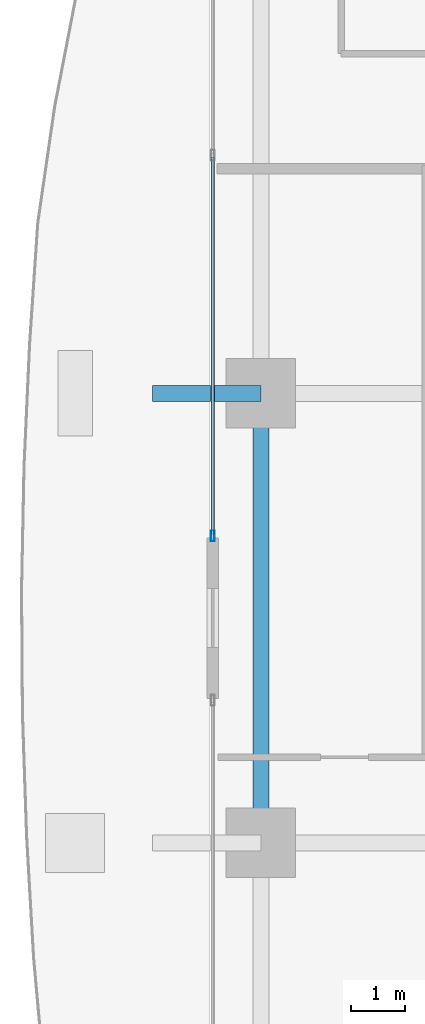
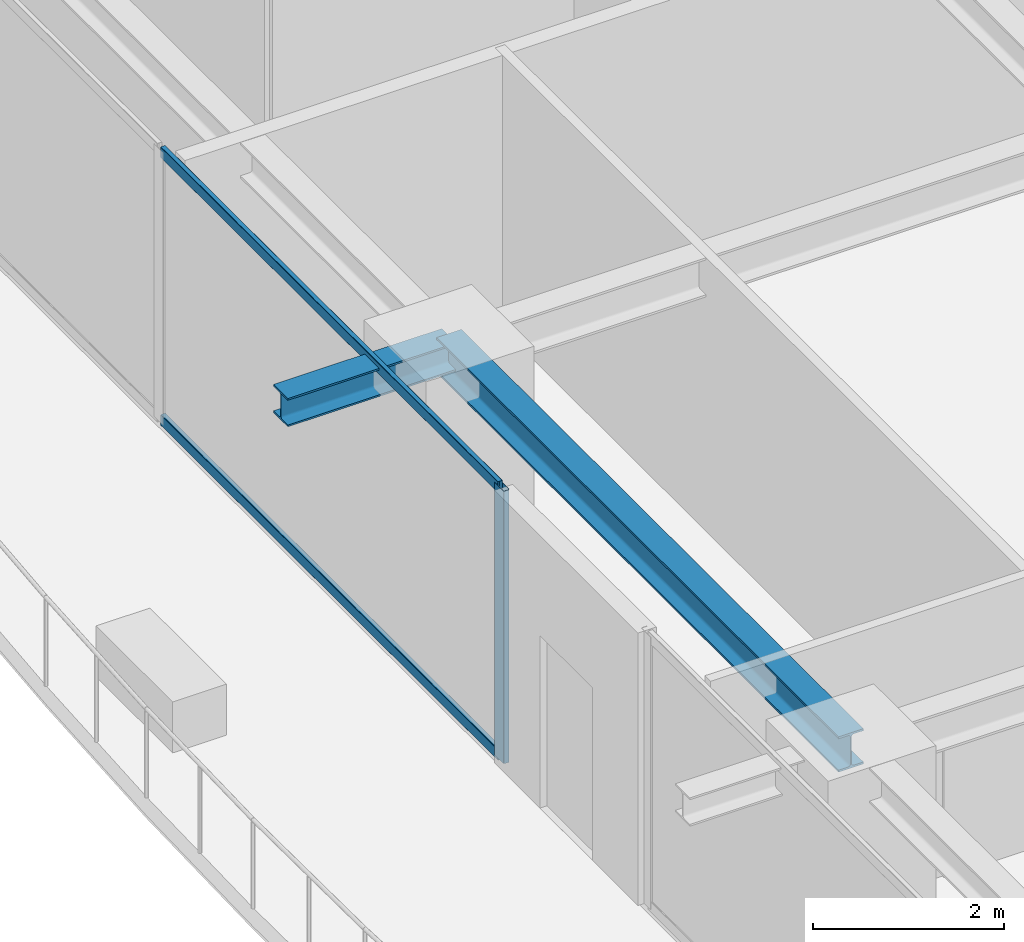
# One storey, part 9 of 34: 3 members, 2 beams, 1 element without a shape of its own.
"""IFC4 building model written with IfcOpenShell, lengths in metres."""

from ifc_helpers import new_model, si_unit, direction, frame, origin, origin_2d, place, context, subcontext, project, spatial, hollow_rectangle, i_section, extrude, source, transform, mapped, material, layer, layer_set, material_profile, profile_set, type_object, element, aggregate, save


model = new_model("IFC4")

# Units and contexts
model_context = context("Model", 3, precision=1e-05, world=origin(), true_north=direction((0.0, 1.0)))
body_context = subcontext(model_context, "Body", "Model", "MODEL_VIEW")
ifc_project = project(units=[si_unit("LENGTHUNIT", "METRE"), si_unit("AREAUNIT", "SQUARE_METRE"), si_unit("VOLUMEUNIT", "CUBIC_METRE"), si_unit("PLANEANGLEUNIT", "RADIAN"), si_unit("MASSUNIT", "GRAM", prefix="KILO")], contexts=[model_context])

# Site, building, storey
site_placement = place(None, origin())
site = spatial("IfcSite", under=ifc_project, at=site_placement, CompositionType="ELEMENT")
building_placement = place(site_placement, origin())
building = spatial("IfcBuilding", under=site, at=building_placement, Name="Serunith Strait Residences", CompositionType="ELEMENT")
storey_placement = place(building_placement, frame((0.0, 0.0, 187.64990234375)))
storey = spatial("IfcBuildingStorey", under=building, at=storey_placement, Name="L47", CompositionType="ELEMENT", Elevation=187.64990234375)

# Beams
ifc_material_1 = material(Name="Steel S355J2", Category="steel")
ifc_material_profile_1 = material_profile(ifc_material_1, i_section(OverallWidth=0.300048828125, OverallDepth=0.449951171875, WebThickness=0.013916015625, FlangeThickness=0.02587890625, FilletRadius=0.027099609375, at=origin_2d()), Name="HEB 450")
ifc_profile_set_1 = profile_set([ifc_material_profile_1], Name="Steel S355J2")
beam_type_1 = type_object("IfcBeamType", Name="BM-HEB450", PredefinedType="BEAM", material=ifc_profile_set_1)
shared_shape_1 = source(origin(), body_context, "Body", "SweptSolid", [
    extrude(i_section(OverallWidth=0.300048828125, OverallDepth=0.449951171875, WebThickness=0.013916015625, FlangeThickness=0.02587890625, FilletRadius=0.027099609375, at=origin_2d()), origin(), (0.0, 0.0, 1.0), 8.39990234375),
])
beam_1_placement = place(storey_placement, frame((8.699951171875, 29.39990234375, 3.26220703125), z_axis=(0.0, -1.0, 0.0), x_axis=(1.0, 0.0, 0.0)))
element("IfcBeam", 1, at=beam_1_placement, inside=storey, type_object=beam_type_1, Name="L47 Perimeter Ring Beam 14", PredefinedType="BEAM", context=body_context, shape_type="MappedRepresentation", body=[
    mapped(shared_shape_1, transform((0.0, 0.0, 0.0), scale=1.0)),
])
ifc_material_profile_2 = material_profile(ifc_material_1, i_section(OverallWidth=0.300048828125, OverallDepth=0.360107421875, WebThickness=0.012451171875, FlangeThickness=0.0224609375, FilletRadius=0.027099609375, at=origin_2d()), Name="HEB 360")
ifc_profile_set_2 = profile_set([ifc_material_profile_2], Name="Steel S355J2")
beam_type_2 = type_object("IfcBeamType", Name="BM-HEB360", PredefinedType="BEAM", material=ifc_profile_set_2)
shared_shape_2 = source(origin(), body_context, "Body", "SweptSolid", [
    extrude(i_section(OverallWidth=0.300048828125, OverallDepth=0.360107421875, WebThickness=0.012451171875, FlangeThickness=0.0224609375, FilletRadius=0.027099609375, at=origin_2d()), origin(), (0.0, 0.0, 1.0), 2.030029296875),
])
beam_2_placement = place(storey_placement, frame((8.699951171875, 29.39990234375, 3.277099609375), z_axis=(-1.0, 0.0, 0.0), x_axis=(0.0, -1.0, 0.0)))
element("IfcBeam", 2, at=beam_2_placement, inside=storey, type_object=beam_type_2, Name="L48 Cantilevered Balcony Rib TC-W3", PredefinedType="BEAM", context=body_context, shape_type="MappedRepresentation", body=[
    mapped(shared_shape_2, transform((0.0, 0.0, 0.0), scale=1.0)),
])

# Curtain wall, members
ifc_material_2 = material(Name="Pale-Champagne Anodised Aluminium", Category="aluminium")
ifc_layer = layer(ifc_material_2, 0.199951171875, Name="Pale-Champagne Anodised Aluminium")
ifc_layer_set = layer_set([ifc_layer], Name="Pale-Champagne Anodised Aluminium")
curtain_wall_type = type_object("IfcCurtainWallType", Name="CW-SYS2", PredefinedType="NOTDEFINED", material=ifc_layer_set)
curtain_wall_placement = place(storey_placement, origin())
curtain_wall = element("IfcCurtainWall", 3, at=curtain_wall_placement, inside=storey, type_object=curtain_wall_type, Name="L47 W Unitised Fritted Curtain Wall", PredefinedType="NOTDEFINED")
ifc_material_profile_3 = material_profile(ifc_material_2, hollow_rectangle(XDim=0.070068359375, YDim=0.199951171875, WallThickness=0.00390625, InnerFilletRadius=0.006103515625, OuterFilletRadius=0.010009765625, at=origin_2d()), Name="ALU 200x70x4")
ifc_profile_set_3 = profile_set([ifc_material_profile_3], Name="Pale-Champagne Anodised Aluminium")
member_type_1 = type_object("IfcMemberType", Name="CW-SYS2-MULL", PredefinedType="MULLION", material=ifc_profile_set_3)
shared_shape_3 = source(origin(), body_context, "Body", "SweptSolid", [
    extrude(hollow_rectangle(XDim=0.070068359375, YDim=0.199951171875, WallThickness=0.00390625, InnerFilletRadius=0.006103515625, OuterFilletRadius=0.010009765625, at=origin_2d()), origin(), (0.0, 0.0, 1.0), 3.47509765625),
])
member_1_placement = place(storey_placement, frame((7.800048828125, 26.735107421875, 0.0), z_axis=(0.0, 0.0, 1.0), x_axis=(1.0, 0.0, 0.0)))
member_1 = element("IfcMember", 4, at=member_1_placement, type_object=member_type_1, Name="CW-2 mullion 3", PredefinedType="MULLION", context=body_context, shape_type="MappedRepresentation", body=[
    mapped(shared_shape_3, transform((0.0, 0.0, 0.0), scale=1.0)),
])
ifc_material_profile_4 = material_profile(ifc_material_2, hollow_rectangle(XDim=0.06005859375, YDim=0.139892578125, WallThickness=0.00341796875, InnerFilletRadius=0.00537109375, OuterFilletRadius=0.0087890625, at=origin_2d()), Name="ALU 140x60x3.5")
ifc_profile_set_4 = profile_set([ifc_material_profile_4], Name="Pale-Champagne Anodised Aluminium")
member_type_2 = type_object("IfcMemberType", Name="CW-SYS2-TRAN", PredefinedType="USERDEFINED", material=ifc_profile_set_4)
shared_shape_4 = source(origin(), body_context, "Body", "SweptSolid", [
    extrude(hollow_rectangle(XDim=0.06005859375, YDim=0.139892578125, WallThickness=0.00341796875, InnerFilletRadius=0.00537109375, OuterFilletRadius=0.0087890625, at=origin_2d()), origin(), (0.0, 0.0, 1.0), 7.044921875),
])
member_2_placement = place(storey_placement, frame((7.800048828125, 33.81494140625, 0.030029296875), z_axis=(0.0, -1.0, 0.0), x_axis=(1.0, 0.0, 0.0)))
member_2 = element("IfcMember", 5, at=member_2_placement, type_object=member_type_2, Name="CW-2 transom 2.1", ObjectType="TRANSOM", PredefinedType="USERDEFINED", context=body_context, shape_type="MappedRepresentation", body=[
    mapped(shared_shape_4, transform((0.0, 0.0, 0.0), scale=1.0)),
])
member_3_placement = place(storey_placement, frame((7.800048828125, 33.81494140625, 3.445068359375), z_axis=(0.0, -1.0, 0.0), x_axis=(1.0, 0.0, 0.0)))
member_3 = element("IfcMember", 6, at=member_3_placement, type_object=member_type_2, Name="CW-2 transom 2.2", ObjectType="TRANSOM", PredefinedType="USERDEFINED", context=body_context, shape_type="MappedRepresentation", body=[
    mapped(shared_shape_4, transform((0.0, 0.0, 0.0), scale=1.0)),
])
aggregate(curtain_wall, [member_1, member_2, member_3])

save(model, "model.ifc")
